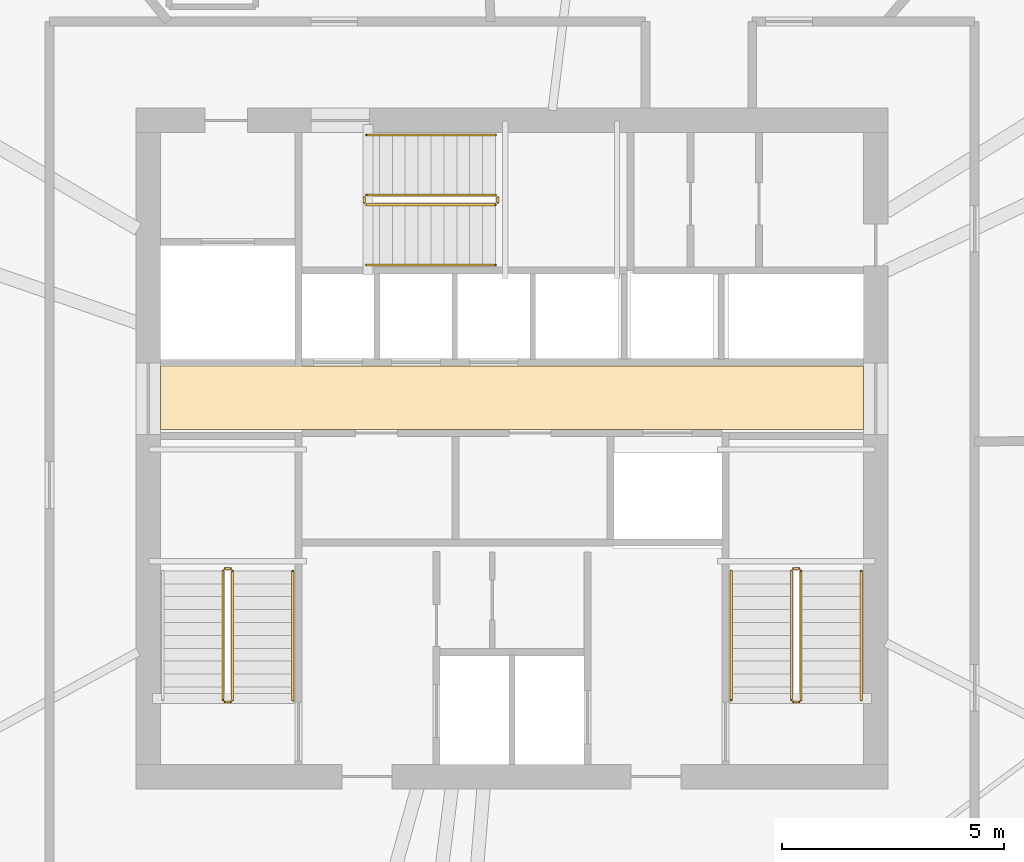
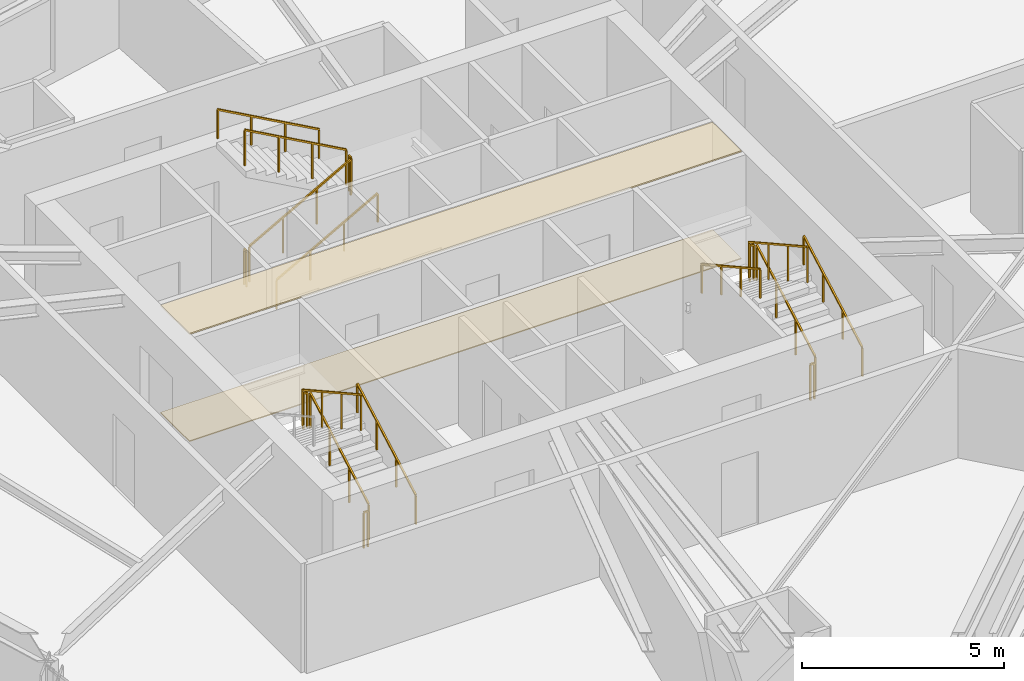
# One storey, part 13 of 14: 17 railings, 2 coverings.
"""IFC4 building model written with IfcOpenShell, lengths in metres."""

from ifc_helpers import new_model, si_unit, direction, frame, origin, origin_2d, place, context, subcontext, project, spatial, polyline, rectangle, outline, extrude, material, layer, layer_set, type_object, element, save


model = new_model("IFC4")

# Units and contexts
model_context = context("Model", 3, precision=1e-05, world=origin(), true_north=direction((0.0, 1.0)))
body_context = subcontext(model_context, "Body", "Model", "MODEL_VIEW")
ifc_project = project(units=[si_unit("LENGTHUNIT", "METRE"), si_unit("AREAUNIT", "SQUARE_METRE"), si_unit("VOLUMEUNIT", "CUBIC_METRE"), si_unit("PLANEANGLEUNIT", "RADIAN"), si_unit("MASSUNIT", "GRAM", prefix="KILO")], contexts=[model_context])

# Site, building, storey
site_placement = place(None, origin())
site = spatial("IfcSite", under=ifc_project, at=site_placement, CompositionType="ELEMENT")
building_placement = place(site_placement, origin())
building = spatial("IfcBuilding", under=site, at=building_placement, Name="Olszyna Solenne Hotel", CompositionType="ELEMENT")
storey_placement = place(building_placement, frame((0.0, 0.0, 153.699951171875)))
storey = spatial("IfcBuildingStorey", under=building, at=storey_placement, Name="L40", CompositionType="ELEMENT", Elevation=153.699951171875)

# Coverings
ifc_material_1 = material(Name="Mineral wool acoustic ceiling")
ifc_layer_1 = layer(ifc_material_1, 0.0400390625, Name="Mineral wool acoustic ceiling")
ifc_layer_set_1 = layer_set([ifc_layer_1], Name="Mineral wool acoustic ceiling")
covering_type_1 = type_object("IfcCoveringType", Name="CL-AC1", PredefinedType="CEILING", material=ifc_layer_set_1)
covering_1_placement = place(storey_placement, frame((0.0, 0.0, 3.239990234375)))
element("IfcCovering", 1, at=covering_1_placement, inside=storey, type_object=covering_type_1, Name="Lift lobby acoustic tile ceiling CL-L40-01", PredefinedType="CEILING", context=body_context, shape_type="SweptSolid", body=[
    extrude(outline(polyline([(30.10009765625, 27.030029296875), (45.89990234375, 27.030029296875), (45.89990234375, 28.4599609375), (30.10009765625, 28.4599609375), (30.10009765625, 27.030029296875)])), origin(), (0.0, 0.0, 1.0), 0.0400390625),
])
ifc_material_2 = material(Name="Ceramic floor tile")
ifc_layer_2 = layer(ifc_material_2, 0.030029296875, Name="Ceramic floor tile")
ifc_layer_set_2 = layer_set([ifc_layer_2], Name="Ceramic floor tile")
covering_type_2 = type_object("IfcCoveringType", Name="FL-TL1", PredefinedType="FLOORING", material=ifc_layer_set_2)
covering_2_placement = place(storey_placement, origin())
element("IfcCovering", 2, at=covering_2_placement, inside=storey, type_object=covering_type_2, Name="Lift lobby stoneware floor finish FLR-L40-01", PredefinedType="FLOORING", context=body_context, shape_type="SweptSolid", body=[
    extrude(outline(polyline([(30.10009765625, 27.030029296875), (45.89990234375, 27.030029296875), (45.89990234375, 28.4599609375), (30.10009765625, 28.4599609375), (30.10009765625, 27.030029296875)])), origin(), (0.0, 0.0, 1.0), 0.030029296875),
])

# Railings
ifc_material_3 = material(Name="Anodised bronze aluminium", Category="aluminium")
railing_type_1 = type_object("IfcRailingType", Name="GR-110", PredefinedType="BALUSTRADE", material=ifc_material_3)
railing_1_placement = place(storey_placement, frame((31.719970703125, 20.949951171875, 0.161376953125)))
element("IfcRailing", 3, at=railing_1_placement, inside=storey, type_object=railing_type_1, Name="L40 ST1 stair guard 1", PredefinedType="BALUSTRADE", context=body_context, shape_type="SweptSolid", body=[
    extrude(rectangle(XDim=0.048095703125, YDim=0.048095703125, at=origin_2d()), frame((0.0, 0.0, 1.076171875), z_axis=(0.0, 0.873827439584, 0.48623616261), x_axis=(-1.0, 0.0, 0.0)), (0.0, 0.0, 1.0), 3.31884765625),
    extrude(rectangle(XDim=0.0419921875, YDim=0.0419921875, at=origin_2d()), origin(), (0.0, 0.0, 1.0), 1.052001953125),
    extrude(rectangle(XDim=0.0419921875, YDim=0.0419921875, at=origin_2d()), frame((0.0, 0.966796875, 0.537841796875)), (0.0, 0.0, 1.0), 1.052001953125),
    extrude(rectangle(XDim=0.0419921875, YDim=0.0419921875, at=origin_2d()), frame((0.0, 1.933349609375, 1.075927734375)), (0.0, 0.0, 1.0), 1.052001953125),
    extrude(rectangle(XDim=0.0419921875, YDim=0.0419921875, at=origin_2d()), frame((0.0, 2.900146484375, 1.61376953125)), (0.0, 0.0, 1.0), 1.052001953125),
])
railing_2_placement = place(storey_placement, frame((31.669921875, 23.89990234375, 1.775146484375)))
element("IfcRailing", 4, at=railing_2_placement, inside=storey, type_object=railing_type_1, Name="L40 ST1 stair guard 2", PredefinedType="BALUSTRADE", context=body_context, shape_type="SweptSolid", body=[
    extrude(rectangle(XDim=0.048095703125, YDim=0.048095703125, at=origin_2d()), frame((0.0, 0.0, 1.076171875), z_axis=(-1.0, 0.0, 0.0), x_axis=(0.0, -1.0, 0.0)), (0.0, 0.0, 1.0), 0.119873046875),
    extrude(rectangle(XDim=0.0419921875, YDim=0.0419921875, at=origin_2d()), origin(), (0.0, 0.0, 1.0), 1.052001953125),
    extrude(rectangle(XDim=0.0419921875, YDim=0.0419921875, at=origin_2d()), frame((-0.119873046875, 0.0, 0.0)), (0.0, 0.0, 1.0), 1.052001953125),
])
railing_3_placement = place(storey_placement, frame((31.5, 23.85009765625, 1.9365234375)))
element("IfcRailing", 5, at=railing_3_placement, inside=storey, type_object=railing_type_1, Name="L40 ST1 stair guard 3", PredefinedType="BALUSTRADE", context=body_context, shape_type="SweptSolid", body=[
    extrude(rectangle(XDim=0.048095703125, YDim=0.048095703125, at=origin_2d()), frame((0.0, 0.0, 1.076171875), z_axis=(0.0, -0.873858693841, 0.486179990537), x_axis=(1.0, 0.0, 0.0)), (0.0, 0.0, 1.0), 3.31884765625),
    extrude(rectangle(XDim=0.0419921875, YDim=0.0419921875, at=origin_2d()), origin(), (0.0, 0.0, 1.0), 1.052001953125),
    extrude(rectangle(XDim=0.0419921875, YDim=0.0419921875, at=origin_2d()), frame((0.0, -0.966796875, 0.537841796875)), (0.0, 0.0, 1.0), 1.052001953125),
    extrude(rectangle(XDim=0.0419921875, YDim=0.0419921875, at=origin_2d()), frame((0.0, -1.933349609375, 1.07568359375)), (0.0, 0.0, 1.0), 1.052001953125),
    extrude(rectangle(XDim=0.0419921875, YDim=0.0419921875, at=origin_2d()), frame((0.0, -2.900146484375, 1.613525390625)), (0.0, 0.0, 1.0), 1.052001953125),
])
railing_4_placement = place(storey_placement, frame((31.669921875, 20.89990234375, 0.0)))
element("IfcRailing", 6, at=railing_4_placement, inside=storey, type_object=railing_type_1, Name="L40 ST1 stair guard 4", PredefinedType="BALUSTRADE", context=body_context, shape_type="SweptSolid", body=[
    extrude(rectangle(XDim=0.048095703125, YDim=0.048095703125, at=origin_2d()), frame((0.0, 0.0, 1.076171875), z_axis=(-1.0, 0.0, 0.0), x_axis=(0.0, -1.0, 0.0)), (0.0, 0.0, 1.0), 0.119873046875),
    extrude(rectangle(XDim=0.0419921875, YDim=0.0419921875, at=origin_2d()), origin(), (0.0, 0.0, 1.0), 1.052001953125),
    extrude(rectangle(XDim=0.0419921875, YDim=0.0419921875, at=origin_2d()), frame((-0.119873046875, 0.0, 0.0)), (0.0, 0.0, 1.0), 1.052001953125),
])
railing_5_placement = place(storey_placement, frame((44.5, 20.949951171875, 0.161376953125)))
element("IfcRailing", 7, at=railing_5_placement, inside=storey, type_object=railing_type_1, Name="L40 ST2 stair guard 1", PredefinedType="BALUSTRADE", context=body_context, shape_type="SweptSolid", body=[
    extrude(rectangle(XDim=0.048095703125, YDim=0.048095703125, at=origin_2d()), frame((0.0, 0.0, 1.076171875), z_axis=(0.0, 0.873827439584, 0.48623616261), x_axis=(-1.0, 0.0, 0.0)), (0.0, 0.0, 1.0), 3.31884765625),
    extrude(rectangle(XDim=0.0419921875, YDim=0.0419921875, at=origin_2d()), origin(), (0.0, 0.0, 1.0), 1.052001953125),
    extrude(rectangle(XDim=0.0419921875, YDim=0.0419921875, at=origin_2d()), frame((0.0, 0.966796875, 0.537841796875)), (0.0, 0.0, 1.0), 1.052001953125),
    extrude(rectangle(XDim=0.0419921875, YDim=0.0419921875, at=origin_2d()), frame((0.0, 1.933349609375, 1.075927734375)), (0.0, 0.0, 1.0), 1.052001953125),
    extrude(rectangle(XDim=0.0419921875, YDim=0.0419921875, at=origin_2d()), frame((0.0, 2.900146484375, 1.61376953125)), (0.0, 0.0, 1.0), 1.052001953125),
])
railing_6_placement = place(storey_placement, frame((44.449951171875, 23.89990234375, 1.775146484375)))
element("IfcRailing", 8, at=railing_6_placement, inside=storey, type_object=railing_type_1, Name="L40 ST2 stair guard 2", PredefinedType="BALUSTRADE", context=body_context, shape_type="SweptSolid", body=[
    extrude(rectangle(XDim=0.048095703125, YDim=0.048095703125, at=origin_2d()), frame((0.0, 0.0, 1.076171875), z_axis=(-1.0, 0.0, 0.0), x_axis=(0.0, -1.0, 0.0)), (0.0, 0.0, 1.0), 0.119873046875),
    extrude(rectangle(XDim=0.0419921875, YDim=0.0419921875, at=origin_2d()), origin(), (0.0, 0.0, 1.0), 1.052001953125),
    extrude(rectangle(XDim=0.0419921875, YDim=0.0419921875, at=origin_2d()), frame((-0.119873046875, 0.0, 0.0)), (0.0, 0.0, 1.0), 1.052001953125),
])
railing_7_placement = place(storey_placement, frame((44.280029296875, 23.85009765625, 1.9365234375)))
element("IfcRailing", 9, at=railing_7_placement, inside=storey, type_object=railing_type_1, Name="L40 ST2 stair guard 3", PredefinedType="BALUSTRADE", context=body_context, shape_type="SweptSolid", body=[
    extrude(rectangle(XDim=0.048095703125, YDim=0.048095703125, at=origin_2d()), frame((0.0, 0.0, 1.076171875), z_axis=(0.0, -0.873858693841, 0.486179990537), x_axis=(1.0, 0.0, 0.0)), (0.0, 0.0, 1.0), 3.31884765625),
    extrude(rectangle(XDim=0.0419921875, YDim=0.0419921875, at=origin_2d()), origin(), (0.0, 0.0, 1.0), 1.052001953125),
    extrude(rectangle(XDim=0.0419921875, YDim=0.0419921875, at=origin_2d()), frame((0.0, -0.966796875, 0.537841796875)), (0.0, 0.0, 1.0), 1.052001953125),
    extrude(rectangle(XDim=0.0419921875, YDim=0.0419921875, at=origin_2d()), frame((0.0, -1.933349609375, 1.07568359375)), (0.0, 0.0, 1.0), 1.052001953125),
    extrude(rectangle(XDim=0.0419921875, YDim=0.0419921875, at=origin_2d()), frame((0.0, -2.900146484375, 1.613525390625)), (0.0, 0.0, 1.0), 1.052001953125),
])
railing_8_placement = place(storey_placement, frame((44.449951171875, 20.89990234375, 0.0)))
element("IfcRailing", 10, at=railing_8_placement, inside=storey, type_object=railing_type_1, Name="L40 ST2 stair guard 4", PredefinedType="BALUSTRADE", context=body_context, shape_type="SweptSolid", body=[
    extrude(rectangle(XDim=0.048095703125, YDim=0.048095703125, at=origin_2d()), frame((0.0, 0.0, 1.076171875), z_axis=(-1.0, 0.0, 0.0), x_axis=(0.0, -1.0, 0.0)), (0.0, 0.0, 1.0), 0.119873046875),
    extrude(rectangle(XDim=0.0419921875, YDim=0.0419921875, at=origin_2d()), origin(), (0.0, 0.0, 1.0), 1.052001953125),
    extrude(rectangle(XDim=0.0419921875, YDim=0.0419921875, at=origin_2d()), frame((-0.119873046875, 0.0, 0.0)), (0.0, 0.0, 1.0), 1.052001953125),
])
railing_9_placement = place(storey_placement, frame((34.72998046875, 32.080078125, 0.161376953125)))
element("IfcRailing", 11, at=railing_9_placement, inside=storey, type_object=railing_type_1, Name="L40 ST3 stair guard 1", PredefinedType="BALUSTRADE", context=body_context, shape_type="SweptSolid", body=[
    extrude(rectangle(XDim=0.048095703125, YDim=0.048095703125, at=origin_2d()), frame((0.0, 0.0, 1.076171875), z_axis=(0.873810046276, 0.0, 0.486267419253), x_axis=(0.0, 1.0, 0.0)), (0.0, 0.0, 1.0), 3.318603515625),
    extrude(rectangle(XDim=0.0419921875, YDim=0.0419921875, at=origin_2d()), origin(), (0.0, 0.0, 1.0), 1.052001953125),
    extrude(rectangle(XDim=0.0419921875, YDim=0.0419921875, at=origin_2d()), frame((0.966552734375, 0.0, 0.537841796875)), (0.0, 0.0, 1.0), 1.052001953125),
    extrude(rectangle(XDim=0.0419921875, YDim=0.0419921875, at=origin_2d()), frame((1.933349609375, 0.0, 1.075927734375)), (0.0, 0.0, 1.0), 1.052001953125),
    extrude(rectangle(XDim=0.0419921875, YDim=0.0419921875, at=origin_2d()), frame((2.89990234375, 0.0, 1.61376953125)), (0.0, 0.0, 1.0), 1.052001953125),
])
railing_10_placement = place(storey_placement, frame((37.679931640625, 32.1298828125, 1.775146484375)))
element("IfcRailing", 12, at=railing_10_placement, inside=storey, type_object=railing_type_1, Name="L40 ST3 stair guard 2", PredefinedType="BALUSTRADE", context=body_context, shape_type="SweptSolid", body=[
    extrude(rectangle(XDim=0.048095703125, YDim=0.048095703125, at=origin_2d()), frame((0.0, 0.0, 1.076171875), z_axis=(0.0, 1.0, 0.0), x_axis=(-1.0, 0.0, 0.0)), (0.0, 0.0, 1.0), 0.1201171875),
    extrude(rectangle(XDim=0.0419921875, YDim=0.0419921875, at=origin_2d()), origin(), (0.0, 0.0, 1.0), 1.052001953125),
    extrude(rectangle(XDim=0.0419921875, YDim=0.0419921875, at=origin_2d()), frame((0.0, 0.1201171875, 0.0)), (0.0, 0.0, 1.0), 1.052001953125),
])
railing_11_placement = place(storey_placement, frame((37.6298828125, 32.300048828125, 1.9365234375)))
element("IfcRailing", 13, at=railing_11_placement, inside=storey, type_object=railing_type_1, Name="L40 ST3 stair guard 3", PredefinedType="BALUSTRADE", context=body_context, shape_type="SweptSolid", body=[
    extrude(rectangle(XDim=0.048095703125, YDim=0.048095703125, at=origin_2d()), frame((0.0, 0.0, 1.076171875), z_axis=(-0.873841303929, 0.0, 0.486211245805), x_axis=(0.0, -1.0, 0.0)), (0.0, 0.0, 1.0), 3.318603515625),
    extrude(rectangle(XDim=0.0419921875, YDim=0.0419921875, at=origin_2d()), origin(), (0.0, 0.0, 1.0), 1.052001953125),
    extrude(rectangle(XDim=0.0419921875, YDim=0.0419921875, at=origin_2d()), frame((-0.966552734375, 0.0, 0.537841796875)), (0.0, 0.0, 1.0), 1.052001953125),
    extrude(rectangle(XDim=0.0419921875, YDim=0.0419921875, at=origin_2d()), frame((-1.933349609375, 0.0, 1.07568359375)), (0.0, 0.0, 1.0), 1.052001953125),
    extrude(rectangle(XDim=0.0419921875, YDim=0.0419921875, at=origin_2d()), frame((-2.89990234375, 0.0, 1.613525390625)), (0.0, 0.0, 1.0), 1.052001953125),
])
railing_12_placement = place(storey_placement, frame((34.679931640625, 32.1298828125, 0.0)))
element("IfcRailing", 14, at=railing_12_placement, inside=storey, type_object=railing_type_1, Name="L40 ST3 stair guard 4", PredefinedType="BALUSTRADE", context=body_context, shape_type="SweptSolid", body=[
    extrude(rectangle(XDim=0.048095703125, YDim=0.048095703125, at=origin_2d()), frame((0.0, 0.0, 1.076171875), z_axis=(0.0, 1.0, 0.0), x_axis=(-1.0, 0.0, 0.0)), (0.0, 0.0, 1.0), 0.1201171875),
    extrude(rectangle(XDim=0.0419921875, YDim=0.0419921875, at=origin_2d()), origin(), (0.0, 0.0, 1.0), 1.052001953125),
    extrude(rectangle(XDim=0.0419921875, YDim=0.0419921875, at=origin_2d()), frame((0.0, 0.1201171875, 0.0)), (0.0, 0.0, 1.0), 1.052001953125),
])
ifc_material_4 = material(Name="Steel S355J2", Category="steel")
railing_type_2 = type_object("IfcRailingType", Name="HR-090", PredefinedType="HANDRAIL", material=ifc_material_4)
for number, where, name in (
    (15, (33.070068359375, 20.949951171875, 0.161376953125), "L40 ST1 stair handrail 1"),
    (16, (45.85009765625, 20.949951171875, 0.161376953125), "L40 ST2 stair handrail 1"),
):
    element("IfcRailing", number, at=place(storey_placement, frame(where)), inside=storey, type_object=railing_type_2, Name=name, PredefinedType="HANDRAIL", context=body_context, shape_type="SweptSolid", body=[
        extrude(rectangle(XDim=0.048095703125, YDim=0.048095703125, at=origin_2d()), frame((0.0, 0.0, 0.8759765625), z_axis=(0.0, 0.873827439584, 0.48623616261), x_axis=(-1.0, 0.0, 0.0)), (0.0, 0.0, 1.0), 3.31884765625),
        extrude(rectangle(XDim=0.0419921875, YDim=0.0419921875, at=origin_2d()), origin(), (0.0, 0.0, 1.0), 0.851806640625),
        extrude(rectangle(XDim=0.0419921875, YDim=0.0419921875, at=origin_2d()), frame((0.0, 0.966796875, 0.537841796875)), (0.0, 0.0, 1.0), 0.851806640625),
        extrude(rectangle(XDim=0.0419921875, YDim=0.0419921875, at=origin_2d()), frame((0.0, 1.933349609375, 1.075927734375)), (0.0, 0.0, 1.0), 0.851806640625),
        extrude(rectangle(XDim=0.0419921875, YDim=0.0419921875, at=origin_2d()), frame((0.0, 2.900146484375, 1.61376953125)), (0.0, 0.0, 1.0), 0.851806640625),
    ])
railing_13_placement = place(storey_placement, frame((42.929931640625, 23.85009765625, 1.9365234375)))
element("IfcRailing", 17, at=railing_13_placement, inside=storey, type_object=railing_type_2, Name="L40 ST2 stair handrail 2", PredefinedType="HANDRAIL", context=body_context, shape_type="SweptSolid", body=[
    extrude(rectangle(XDim=0.048095703125, YDim=0.048095703125, at=origin_2d()), frame((0.0, 0.0, 0.8759765625), z_axis=(0.0, -0.873858693841, 0.486179990537), x_axis=(1.0, 0.0, 0.0)), (0.0, 0.0, 1.0), 3.31884765625),
    extrude(rectangle(XDim=0.0419921875, YDim=0.0419921875, at=origin_2d()), origin(), (0.0, 0.0, 1.0), 0.851806640625),
    extrude(rectangle(XDim=0.0419921875, YDim=0.0419921875, at=origin_2d()), frame((0.0, -0.966796875, 0.537841796875)), (0.0, 0.0, 1.0), 0.851806640625),
    extrude(rectangle(XDim=0.0419921875, YDim=0.0419921875, at=origin_2d()), frame((0.0, -1.933349609375, 1.07568359375)), (0.0, 0.0, 1.0), 0.851806640625),
    extrude(rectangle(XDim=0.0419921875, YDim=0.0419921875, at=origin_2d()), frame((0.0, -2.900146484375, 1.613525390625)), (0.0, 0.0, 1.0), 0.851806640625),
])
railing_14_placement = place(storey_placement, frame((34.72998046875, 30.72998046875, 0.161376953125)))
element("IfcRailing", 18, at=railing_14_placement, inside=storey, type_object=railing_type_2, Name="L40 ST3 stair handrail 1", PredefinedType="HANDRAIL", context=body_context, shape_type="SweptSolid", body=[
    extrude(rectangle(XDim=0.048095703125, YDim=0.048095703125, at=origin_2d()), frame((0.0, 0.0, 0.8759765625), z_axis=(0.873810046276, 0.0, 0.486267419253), x_axis=(0.0, 1.0, 0.0)), (0.0, 0.0, 1.0), 3.318603515625),
    extrude(rectangle(XDim=0.0419921875, YDim=0.0419921875, at=origin_2d()), origin(), (0.0, 0.0, 1.0), 0.851806640625),
    extrude(rectangle(XDim=0.0419921875, YDim=0.0419921875, at=origin_2d()), frame((0.966552734375, 0.0, 0.537841796875)), (0.0, 0.0, 1.0), 0.851806640625),
    extrude(rectangle(XDim=0.0419921875, YDim=0.0419921875, at=origin_2d()), frame((1.933349609375, 0.0, 1.075927734375)), (0.0, 0.0, 1.0), 0.851806640625),
    extrude(rectangle(XDim=0.0419921875, YDim=0.0419921875, at=origin_2d()), frame((2.89990234375, 0.0, 1.61376953125)), (0.0, 0.0, 1.0), 0.851806640625),
])
railing_15_placement = place(storey_placement, frame((37.6298828125, 33.64990234375, 1.9365234375)))
element("IfcRailing", 19, at=railing_15_placement, inside=storey, type_object=railing_type_2, Name="L40 ST3 stair handrail 2", PredefinedType="HANDRAIL", context=body_context, shape_type="SweptSolid", body=[
    extrude(rectangle(XDim=0.048095703125, YDim=0.048095703125, at=origin_2d()), frame((0.0, 0.0, 0.8759765625), z_axis=(-0.873841303929, 0.0, 0.486211245805), x_axis=(0.0, -1.0, 0.0)), (0.0, 0.0, 1.0), 3.318603515625),
    extrude(rectangle(XDim=0.0419921875, YDim=0.0419921875, at=origin_2d()), origin(), (0.0, 0.0, 1.0), 0.851806640625),
    extrude(rectangle(XDim=0.0419921875, YDim=0.0419921875, at=origin_2d()), frame((-0.966552734375, 0.0, 0.537841796875)), (0.0, 0.0, 1.0), 0.851806640625),
    extrude(rectangle(XDim=0.0419921875, YDim=0.0419921875, at=origin_2d()), frame((-1.933349609375, 0.0, 1.07568359375)), (0.0, 0.0, 1.0), 0.851806640625),
    extrude(rectangle(XDim=0.0419921875, YDim=0.0419921875, at=origin_2d()), frame((-2.89990234375, 0.0, 1.613525390625)), (0.0, 0.0, 1.0), 0.851806640625),
])

save(model, "model.ifc")
